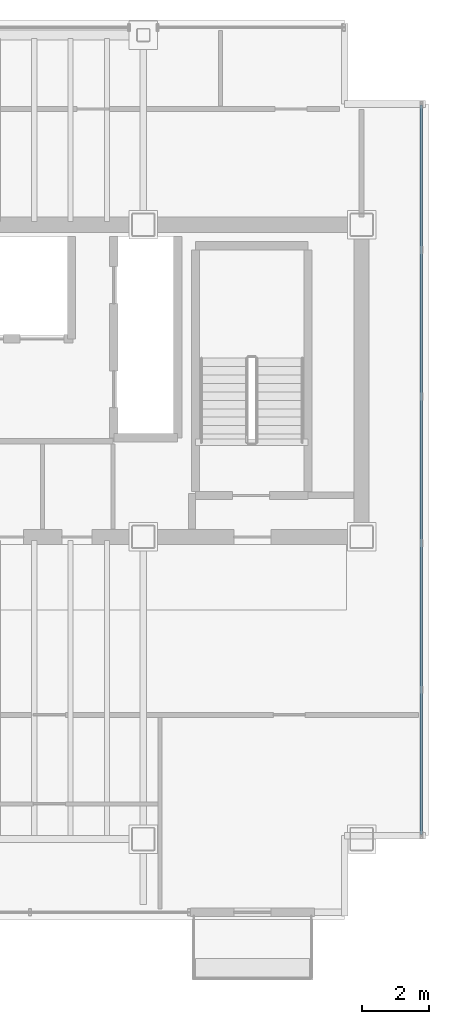
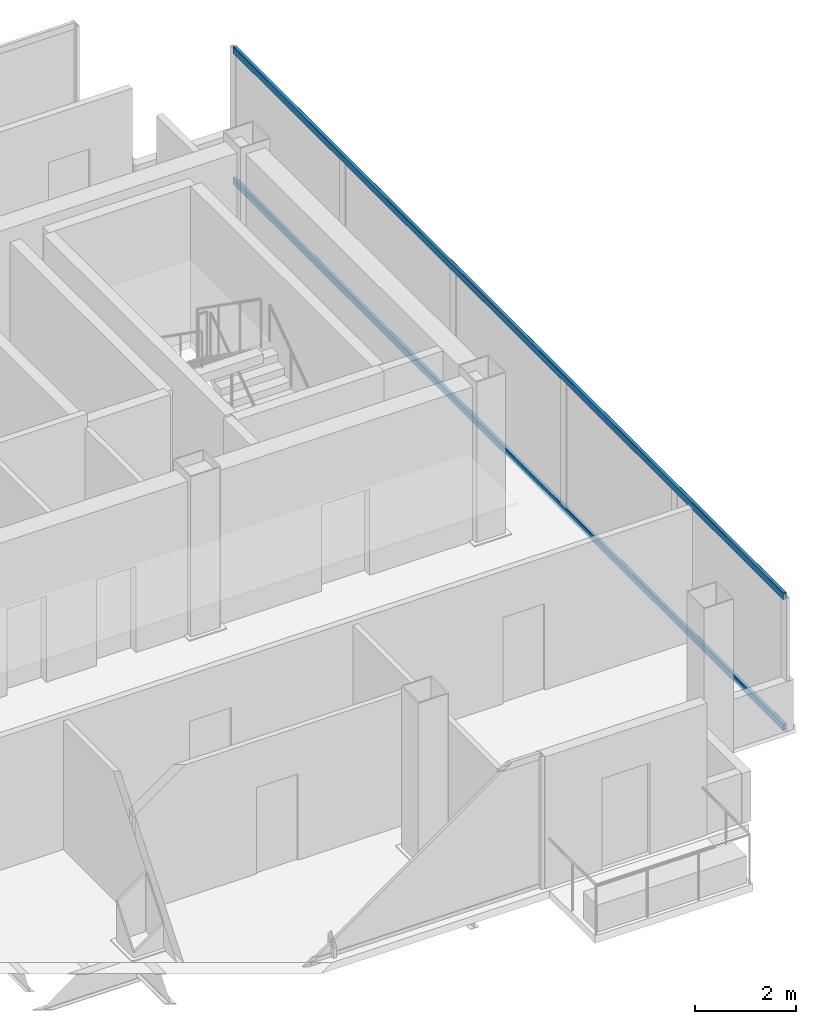
# One storey, part 12 of 17: 2 members, 1 element without a shape of its own.
"""IFC4 building model written with IfcOpenShell, lengths in metres."""

from ifc_helpers import new_model, si_unit, direction, frame, origin, origin_2d, place, context, subcontext, project, spatial, hollow_rectangle, extrude, material, material_profile, profile_set, type_object, element, aggregate, save


model = new_model("IFC4")

# Units and contexts
model_context = context("Model", 3, precision=1e-05, world=origin(), true_north=direction((0.0, 1.0)))
body_context = subcontext(model_context, "Body", "Model", "MODEL_VIEW")
ifc_project = project(units=[si_unit("LENGTHUNIT", "METRE"), si_unit("AREAUNIT", "SQUARE_METRE"), si_unit("VOLUMEUNIT", "CUBIC_METRE"), si_unit("PLANEANGLEUNIT", "RADIAN"), si_unit("MASSUNIT", "GRAM", prefix="KILO")], contexts=[model_context])

# Site, building, storey
site_placement = place(None, origin())
site = spatial("IfcSite", under=ifc_project, at=site_placement, CompositionType="ELEMENT")
building_placement = place(site_placement, origin())
building = spatial("IfcBuilding", under=site, at=building_placement, Name="Noeulbin Bourse Tower", CompositionType="ELEMENT")
storey_placement = place(building_placement, frame((0.0, 0.0, 273.5)))
storey = spatial("IfcBuildingStorey", under=building, at=storey_placement, Name="L68", CompositionType="ELEMENT", Elevation=273.5)

# Curtain wall, members
ifc_material_1 = material(Name="High-Selectivity Low-Iron Glazing", Category="glass")
curtain_wall_type = type_object("IfcCurtainWallType", Name="CW-SYS-4", PredefinedType="NOTDEFINED", material=ifc_material_1)
curtain_wall_placement = place(storey_placement, origin())
curtain_wall = element("IfcCurtainWall", 1, at=curtain_wall_placement, inside=storey, type_object=curtain_wall_type, Name="Unitised Curtain Wall CW-L68-E", PredefinedType="NOTDEFINED")
ifc_material_2 = material(Name="Anodised Aluminium 6063-T6", Category="aluminium")
ifc_material_profile = material_profile(ifc_material_2, hollow_rectangle(XDim=0.074951171875, YDim=0.159912109375, WallThickness=0.0048828125, InnerFilletRadius=0.00244140625, OuterFilletRadius=0.0048828125, at=origin_2d()), Name="ALU-TRAN-75x160x5", Category="LoadBearing")
ifc_profile_set = profile_set([ifc_material_profile], Name="Anodised Aluminium 6063-T6")
member_type = type_object("IfcMemberType", Name="CW-SYS-4-TRN", PredefinedType="USERDEFINED", material=ifc_profile_set)
member_1_placement = place(storey_placement, frame((45.780029296875, 20.1298828125, 0.010009765625), z_axis=(0.0, 1.0, 0.0), x_axis=(-1.0, 0.0, 0.0)))
member_1 = element("IfcMember", 2, at=member_1_placement, type_object=member_type, Name="Curtain Wall Transom CW-L68-E-T00", ObjectType="TRANSOM", PredefinedType="USERDEFINED", context=body_context, shape_type="SweptSolid", body=[
    extrude(hollow_rectangle(XDim=0.074951171875, YDim=0.159912109375, WallThickness=0.0048828125, InnerFilletRadius=0.00244140625, OuterFilletRadius=0.0048828125, at=origin_2d()), origin(), (0.0, 0.0, 1.0), 21.740234375),
])
member_2_placement = place(storey_placement, frame((45.780029296875, 20.1298828125, 3.169921875), z_axis=(0.0, 1.0, 0.0), x_axis=(-1.0, 0.0, 0.0)))
member_2 = element("IfcMember", 3, at=member_2_placement, type_object=member_type, Name="Curtain Wall Transom CW-L68-E-T01", ObjectType="TRANSOM", PredefinedType="USERDEFINED", context=body_context, shape_type="SweptSolid", body=[
    extrude(hollow_rectangle(XDim=0.074951171875, YDim=0.159912109375, WallThickness=0.0048828125, InnerFilletRadius=0.00244140625, OuterFilletRadius=0.0048828125, at=origin_2d()), origin(), (0.0, 0.0, 1.0), 21.740234375),
])
aggregate(curtain_wall, [member_1, member_2])

save(model, "model.ifc")
